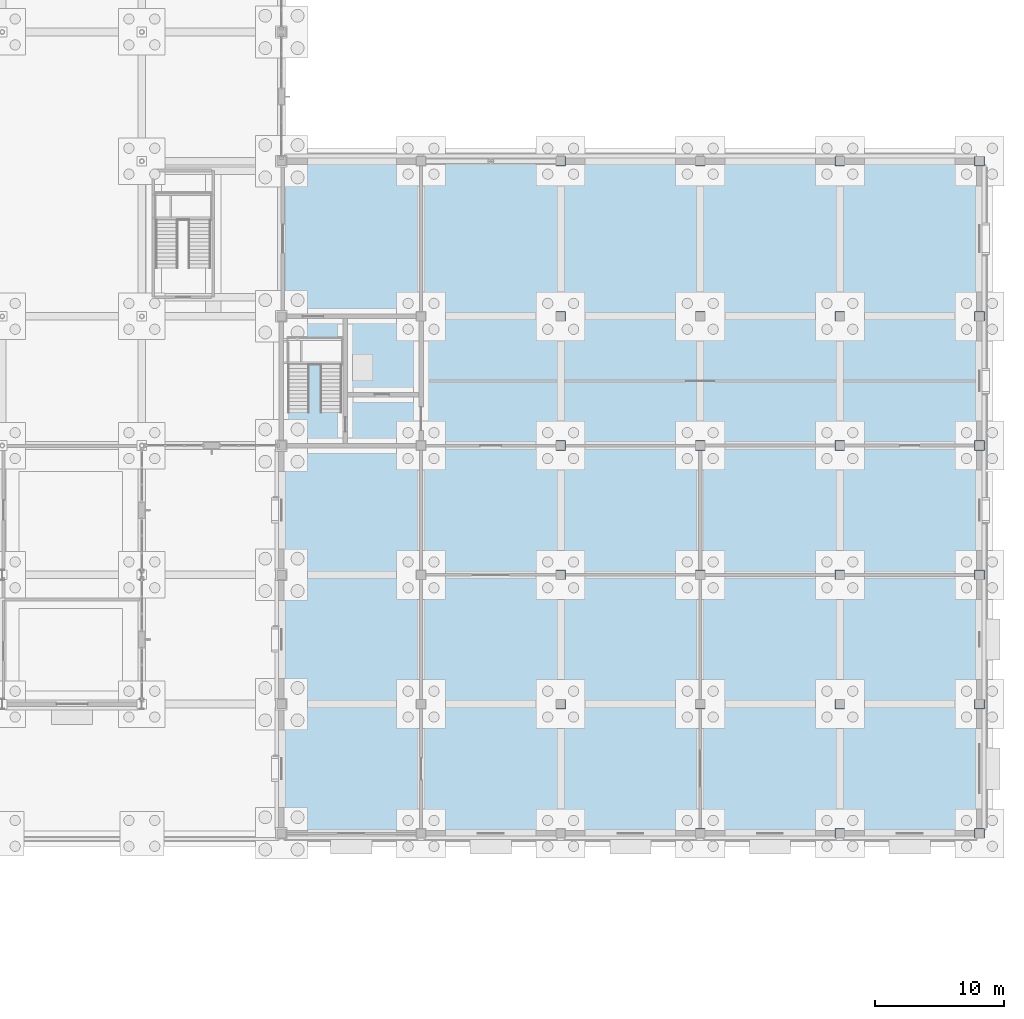
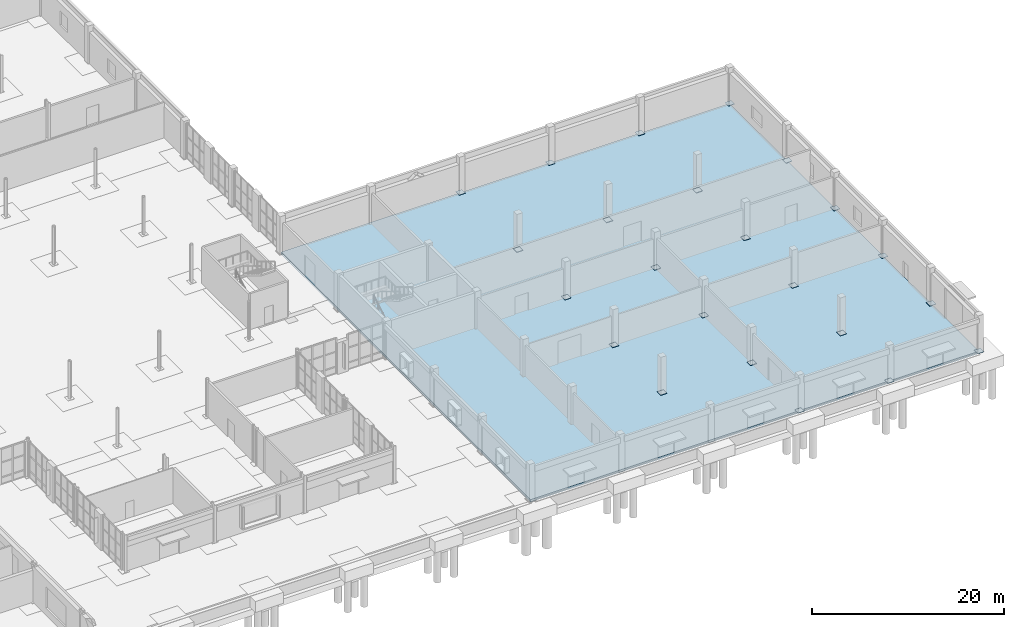
# One storey, part 45 of 73: 23 plates, 1 slab.
"""IFC4 building model written with IfcOpenShell, lengths in metres."""

from ifc_helpers import new_model, si_unit, direction, frame, origin, origin_2d, place, context, subcontext, project, spatial, polyline, rectangle, outline, extrude, material, layer, layer_set, type_object, element, save


model = new_model("IFC4")

# Units and contexts
model_context = context("Model", 3, precision=1e-05, world=origin(), true_north=direction((0.0, 1.0)))
body_context = subcontext(model_context, "Body", "Model", "MODEL_VIEW")
ifc_project = project(units=[si_unit("LENGTHUNIT", "METRE"), si_unit("AREAUNIT", "SQUARE_METRE"), si_unit("VOLUMEUNIT", "CUBIC_METRE"), si_unit("PLANEANGLEUNIT", "RADIAN"), si_unit("MASSUNIT", "GRAM", prefix="KILO")], contexts=[model_context])

# Site, building, storey
site_placement = place(None, origin())
site = spatial("IfcSite", under=ifc_project, at=site_placement, CompositionType="ELEMENT")
building_placement = place(site_placement, origin())
building = spatial("IfcBuilding", under=site, at=building_placement, Name="Tasgan Crest Museum", CompositionType="ELEMENT")
storey_placement = place(building_placement, origin())
storey = spatial("IfcBuildingStorey", under=building, at=storey_placement, Name="L00", CompositionType="ELEMENT", Elevation=0.0)

# Plates
ifc_material_1 = material(Name="Steel S355K2", Category="steel")
ifc_layer_1 = layer(ifc_material_1, 0.75, Name="PL-BASE-750")
ifc_layer_set_1 = layer_set([ifc_layer_1], Name="Steel S355K2")
plate_type = type_object("IfcPlateType", Name="PL-BASE-750", PredefinedType="USERDEFINED", material=ifc_layer_set_1)
for number, where, z_axis, x_axis, name in (
    (1, (129.60009765625, 20.0, 0.0), (0.0, 0.0, 1.0), (1.0, 0.0, 0.0), "Base plate 13/C"),
    (2, (129.60009765625, 30.0, 0.0), (0.0, 0.0, 1.0), (1.0, 0.0, 0.0), "Base plate 13/D"),
    (3, (129.60009765625, 40.0, 0.0), (0.0, 0.0, 1.0), (1.0, 0.0, 0.0), "Base plate 13/E"),
    (4, (129.60009765625, 50.0, 0.0), (0.0, 0.0, 1.0), (1.0, 0.0, 0.0), "Base plate 13/F"),
    (5, (129.60009765625, 62.0, 0.0), (0.0, 0.0, 1.0), (1.0, 0.0, 0.0), "Base plate 13/G"),
    (6, (140.39990234375, 10.0, 0.0), (0.0, 0.0, 1.0), (1.0, 0.0, 0.0), "Base plate 14/B"),
    (7, (140.39990234375, 20.0, 0.0), (0.0, 0.0, 1.0), (1.0, 0.0, 0.0), "Base plate 14/C"),
    (8, (140.39990234375, 30.0, 0.0), (0.0, 0.0, 1.0), (1.0, 0.0, 0.0), "Base plate 14/D"),
    (9, (140.39990234375, 40.0, 0.0), (0.0, 0.0, 1.0), (1.0, 0.0, 0.0), "Base plate 14/E"),
    (10, (140.39990234375, 50.0, 0.0), (0.0, 0.0, 1.0), (1.0, 0.0, 0.0), "Base plate 14/F"),
    (11, (140.39990234375, 62.0, 0.0), (0.0, 0.0, 1.0), (1.0, 0.0, 0.0), "Base plate 14/G"),
    (12, (151.199951171875, 10.0, 0.0), (0.0, 0.0, 1.0), (1.0, 0.0, 0.0), "Base plate 15/B"),
    (13, (151.199951171875, 20.0, 0.0), (0.0, 0.0, 1.0), (1.0, 0.0, 0.0), "Base plate 15/C"),
    (14, (151.199951171875, 30.0, 0.0), (0.0, 0.0, 1.0), (1.0, 0.0, 0.0), "Base plate 15/D"),
    (15, (151.199951171875, 40.0, 0.0), (0.0, 0.0, 1.0), (1.0, 0.0, 0.0), "Base plate 15/E"),
    (16, (151.199951171875, 50.0, 0.0), (0.0, 0.0, 1.0), (1.0, 0.0, 0.0), "Base plate 15/F"),
    (17, (151.199951171875, 62.0, 0.0), (0.0, 0.0, 1.0), (1.0, 0.0, 0.0), "Base plate 15/G"),
    (18, (162.0, 10.0, 0.0), (0.0, 0.0, 1.0), (1.0, 0.0, 0.0), "Base plate 16/B"),
    (19, (162.0, 20.0, 0.0), (0.0, 0.0, 1.0), (1.0, 0.0, 0.0), "Base plate 16/C"),
    (20, (162.0, 30.0, 0.0), (0.0, 0.0, 1.0), (1.0, 0.0, 0.0), "Base plate 16/D"),
    (21, (162.0, 40.0, 0.0), (0.0, 0.0, 1.0), (1.0, 0.0, 0.0), "Base plate 16/E"),
    (22, (162.0, 50.0, 0.0), (0.0, 0.0, 1.0), (1.0, 0.0, 0.0), "Base plate 16/F"),
    (23, (162.0, 62.0, 0.0), (0.0, 0.0, 1.0), (1.0, 0.0, 0.0), "Base plate 16/G"),
):
    element("IfcPlate", number, at=place(storey_placement, frame(where, z_axis=z_axis, x_axis=x_axis)), inside=storey, type_object=plate_type, Name=name, ObjectType="BASE PLATE", PredefinedType="USERDEFINED", context=body_context, shape_type="SweptSolid", body=[
        extrude(rectangle(XDim=0.75, YDim=0.75, at=origin_2d()), origin(), (0.0, 0.0, 1.0), 0.031982421875),
    ])

# Slab
ifc_material_2 = material(Name="Concrete C35/45", Category="concrete")
ifc_layer_2 = layer(ifc_material_2, 0.300048828125, Name="SL-BASE-300")
ifc_layer_set_2 = layer_set([ifc_layer_2], Name="Concrete C35/45")
slab_type = type_object("IfcSlabType", Name="SL-BASE-300", PredefinedType="BASESLAB", material=ifc_layer_set_2)
slab_placement = place(storey_placement, frame((0.0, 0.0, -0.300048828125)))
element("IfcSlab", 24, at=slab_placement, inside=storey, type_object=slab_type, Name="Floor slab L00 V3", PredefinedType="BASESLAB", context=body_context, shape_type="SweptSolid", body=[
    extrude(outline(polyline([(108.0, 10.0), (162.0, 10.0), (162.0, 62.0), (108.0, 62.0), (108.0, 10.0)])), origin(), (0.0, 0.0, 1.0), 0.300048828125),
])

save(model, "model.ifc")
